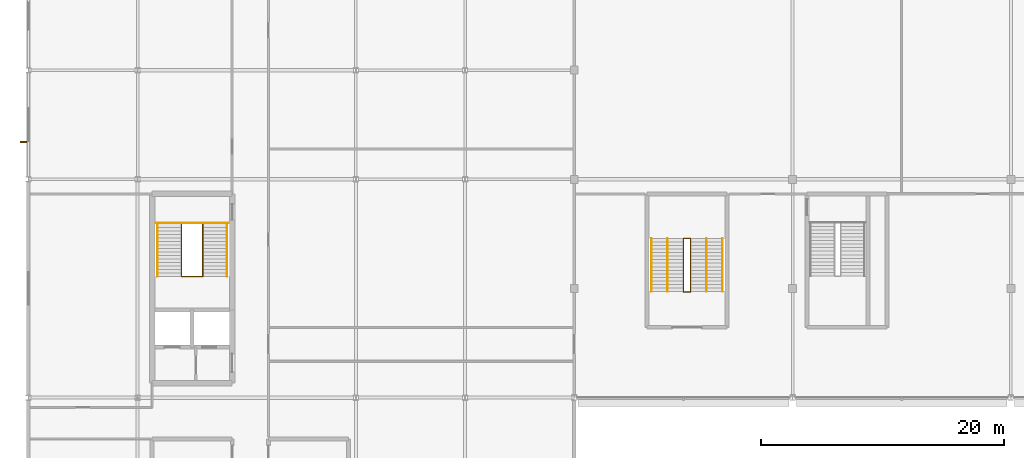
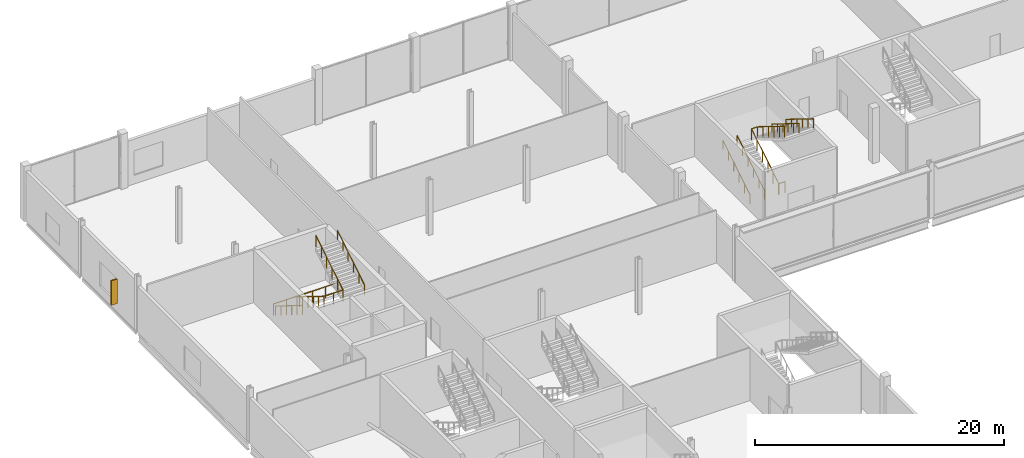
# One storey, part 102 of 111: 10 railings, 1 shading device.
"""IFC4 building model written with IfcOpenShell, lengths in metres."""

import ifcopenshell
import ifcopenshell.guid

model = None  # the IFC model being written
_history = None  # IfcOwnerHistory: only IFC2X3 demands one
_inside = {}  # id of a spatial element -> (the spatial element, [elements in it])
_under = {}  # id of a project, library or spatial element -> (it, [spatial elements below it])
_declared = {}  # id of a project -> (the project, [libraries it declares])
_typed = {}  # id of a type object -> (the type object, [elements of that type])
_made_of = {}  # id of a material, layer set ... -> (it, [elements and type objects made of it])


def new_model(schema):
    """Start an empty IFC model of exactly this schema.

    Asked for "IFC4X3", IfcOpenShell would pick the latest addendum, in which some entities
    have other attributes; the version numbers below select the first issue.
    IFC2X3 requires an IfcOwnerHistory on every rooted entity: one is made here for all.
    """
    global model, _history
    if schema == "IFC4X3":
        model = ifcopenshell.file(schema_version=(4, 3, 0, 0))
    else:
        model = ifcopenshell.file(schema=schema)
    _inside.clear()
    _under.clear()
    _declared.clear()
    _typed.clear()
    _made_of.clear()
    _history = None
    if model.schema == "IFC2X3":
        org = make("IfcOrganization", Name="unknown")
        user = make(
            "IfcPersonAndOrganization",
            ThePerson=make("IfcPerson", FamilyName="unknown"),
            TheOrganization=org,
        )
        app = make(
            "IfcApplication",
            ApplicationDeveloper=org,
            Version="unknown",
            ApplicationFullName="unknown",
            ApplicationIdentifier="unknown",
        )
        _history = make(
            "IfcOwnerHistory",
            OwningUser=user,
            OwningApplication=app,
            ChangeAction="ADDED",
            CreationDate=0,
        )
    return model


def make(cls, **values):
    """One entity of the class cls with the attributes given. An attribute that is None is left unset."""
    return model.create_entity(
        cls, **{name: value for name, value in values.items() if value is not None}
    )


def rooted(cls, **values):
    """An entity with a GlobalId (a new one), such as an element, a storey or a relation."""
    return make(cls, GlobalId=ifcopenshell.guid.new(), OwnerHistory=_history, **values)


def si_unit(unit_type, name, prefix=None):
    """IfcSIUnit, for example si_unit("LENGTHUNIT", "METRE", prefix="MILLI")."""
    return make("IfcSIUnit", UnitType=unit_type, Prefix=prefix, Name=name)


def assignment(units):
    """IfcUnitAssignment: the units of a project."""
    return None if units is None else make("IfcUnitAssignment", Units=units)


def point(xyz):
    """IfcCartesianPoint."""
    return None if xyz is None else make("IfcCartesianPoint", Coordinates=xyz)


def direction(xyz):
    """IfcDirection."""
    return None if xyz is None else make("IfcDirection", DirectionRatios=xyz)


def frame(location, z_axis=None, x_axis=None):
    """IfcAxis2Placement3D, a coordinate frame: its origin and axes. An axis left out is left unset."""
    return make(
        "IfcAxis2Placement3D",
        Location=point(location),
        Axis=direction(z_axis),
        RefDirection=direction(x_axis),
    )


def frame_2d(location, x_axis=None):
    """IfcAxis2Placement2D, a coordinate frame in the plane: its origin and x axis."""
    return make(
        "IfcAxis2Placement2D", Location=point(location), RefDirection=direction(x_axis)
    )


def origin():
    """The frame at (0, 0, 0) with its axes left unset."""
    return frame((0.0, 0.0, 0.0))


def origin_2d():
    """The frame at (0, 0) in the plane with its x axis left unset."""
    return frame_2d((0.0, 0.0))


def place(relative_to, where):
    """IfcLocalPlacement: puts the frame where relative to a parent placement (None: the world)."""
    return make(
        "IfcLocalPlacement", PlacementRelTo=relative_to, RelativePlacement=where
    )


def context(
    kind, dimensions, precision=None, world=None, true_north=None, identifier=None
):
    """IfcGeometricRepresentationContext, for example the 3D "Model" context."""
    return make(
        "IfcGeometricRepresentationContext",
        ContextIdentifier=identifier,
        ContextType=kind,
        CoordinateSpaceDimension=dimensions,
        Precision=precision,
        WorldCoordinateSystem=world,
        TrueNorth=true_north,
    )


def subcontext(parent, identifier, kind, view, scale=None):
    """IfcGeometricRepresentationSubContext, for example "Body" below "Model"."""
    return make(
        "IfcGeometricRepresentationSubContext",
        ContextIdentifier=identifier,
        ContextType=kind,
        ParentContext=parent,
        TargetScale=scale,
        TargetView=view,
    )


def project(units=None, contexts=None):
    """IfcProject with its units and contexts."""
    return rooted(
        "IfcProject",
        Name="project",
        RepresentationContexts=contexts,
        UnitsInContext=assignment(units),
    )


def spatial(cls, under=None, at=None, **own):
    """A site, building, storey or space (cls), placed at a placement, below another one or the project."""
    s = rooted(cls, ObjectPlacement=at, **own)
    if under is not None:
        _under.setdefault(under.id(), (under, []))[1].append(s)
    return s


def profile(cls, at=None, kind="AREA", **sizes):
    """A parametric profile (cls). Its sizes go by their IFC names, for example OverallWidth=200.0."""
    return make(cls, ProfileType=kind, Position=at, **sizes)


def rectangle(**sizes):
    """IfcRectangleProfileDef."""
    return profile("IfcRectangleProfileDef", **sizes)


def circle(**sizes):
    """IfcCircleProfileDef."""
    return profile("IfcCircleProfileDef", **sizes)


def extrude(swept, where, along, depth):
    """IfcExtrudedAreaSolid: the profile swept, set in the frame where, extruded along a direction by depth."""
    return make(
        "IfcExtrudedAreaSolid",
        SweptArea=swept,
        Position=where,
        ExtrudedDirection=direction(along),
        Depth=depth,
    )


def shape(context_of_items, identifier, shape_type, items):
    """IfcShapeRepresentation: the items that make up one representation, for example the "Body"."""
    return make(
        "IfcShapeRepresentation",
        ContextOfItems=context_of_items,
        RepresentationIdentifier=identifier,
        RepresentationType=shape_type,
        Items=items,
    )


def material(Name=None, Category=None):
    """IfcMaterial."""
    return make("IfcMaterial", Name=Name, Category=Category)


def made_of(thing, what):
    """Note that an element or type object is made of a material, layer set ...; save() writes the relation."""
    if what is not None:
        _made_of.setdefault(what.id(), (what, []))[1].append(thing)
    return thing


def type_object(cls, material=None, **own):
    """A type object (cls), such as IfcWallType, which elements share."""
    return made_of(rooted(cls, **own), material)


def element(
    cls,
    number,
    at=None,
    inside=None,
    cuts=None,
    type_object=None,
    material=None,
    context=None,
    identifier="Body",
    shape_type=None,
    held_by="IfcProductDefinitionShape",
    body=None,
    shapes=None,
    **own,
):
    """One element of the class cls, such as IfcWall. Its Tag is "e" and its number.

    at: its placement. inside: the storey or other place that contains it. cuts: it is an
    opening in that element (IfcRelVoidsElement). A single representation is given by context,
    identifier, shape_type and body (its items); several are given by shapes. held_by: the class
    of the entity that holds the representations. save() writes the other relations.
    """
    e = rooted(cls, Tag="e%d" % number, ObjectPlacement=at, **own)
    if body is not None:
        shapes = [shape(context, identifier, shape_type, body)]
    if shapes is not None:
        e.Representation = make(held_by, Representations=shapes)
    if inside is not None:
        _inside.setdefault(inside.id(), (inside, []))[1].append(e)
    if cuts is not None:
        rooted(
            "IfcRelVoidsElement", RelatingBuildingElement=cuts, RelatedOpeningElement=e
        )
    if type_object is not None:
        _typed.setdefault(type_object.id(), (type_object, []))[1].append(e)
    return made_of(e, material)


def aggregate(whole, parts):
    """IfcRelAggregates: a whole, such as a stair, and the parts it consists of."""
    return rooted("IfcRelAggregates", RelatingObject=whole, RelatedObjects=parts)


def save(model, path):
    """Write the relations noted so far, then the file.

    IfcRelAggregates (storeys below a building ...), IfcRelContainedInSpatialStructure (elements
    in a storey), IfcRelDefinesByType, IfcRelAssociatesMaterial and IfcRelDeclares: one each for
    every whole, place, type object, material and project.
    """
    for whole, parts in _under.values():
        aggregate(whole, parts)
    for where, things in _inside.values():
        rooted(
            "IfcRelContainedInSpatialStructure",
            RelatedElements=things,
            RelatingStructure=where,
        )
    for kind, things in _typed.values():
        rooted("IfcRelDefinesByType", RelatedObjects=things, RelatingType=kind)
    for what, things in _made_of.values():
        rooted("IfcRelAssociatesMaterial", RelatedObjects=things, RelatingMaterial=what)
    for by, libraries in _declared.values():
        rooted("IfcRelDeclares", RelatingContext=by, RelatedDefinitions=libraries)
    model.write(path)


model = new_model("IFC4")

# Units and contexts
model_context = context("Model", 3, precision=1e-05, world=origin(), true_north=direction((0.0, 1.0)))
body_context = subcontext(model_context, "Body", "Model", "MODEL_VIEW")
ifc_project = project(units=[si_unit("LENGTHUNIT", "METRE"), si_unit("AREAUNIT", "SQUARE_METRE"), si_unit("VOLUMEUNIT", "CUBIC_METRE"), si_unit("PLANEANGLEUNIT", "RADIAN"), si_unit("MASSUNIT", "GRAM", prefix="KILO")], contexts=[model_context])

# Site, building, storey
site_placement = place(None, origin())
site = spatial("IfcSite", under=ifc_project, at=site_placement, CompositionType="ELEMENT")
building_placement = place(site_placement, origin())
building = spatial("IfcBuilding", under=site, at=building_placement, Name="Kisiwana Market Hall", CompositionType="ELEMENT")
storey_placement = place(building_placement, frame((0.0, 0.0, 11.39990234375)))
storey = spatial("IfcBuildingStorey", under=building, at=storey_placement, Name="L02", CompositionType="ELEMENT", Elevation=11.39990234375)

# Railings
ifc_material_1 = material(Name="Steel S275", Category="steel")
railing_type_1 = type_object("IfcRailingType", Name="RL-GUARD-1100", PredefinedType="GUARDRAIL", material=ifc_material_1)
railing_1_placement = place(storey_placement, frame((12.625, 98.325439453125, 0.0)))
element("IfcRailing", 1, at=railing_1_placement, inside=storey, type_object=railing_type_1, Name="Stair ST-W1-L02 inner-well guardrail (RL-479)", PredefinedType="GUARDRAIL", context=body_context, shape_type="SweptSolid", body=[
    extrude(circle(Radius=0.02392578125, at=origin_2d()), frame((0.0, 0.0, 1.076171875), z_axis=(0.0, -0.849615114927, 0.52740322002), x_axis=(1.0, 0.0, 0.0)), (0.0, 0.0, 1.0), 5.119873046875),
    extrude(circle(Radius=0.02392578125, at=origin_2d()), frame((0.0, -4.349853515625, 3.7763671875), z_axis=(1.0, 0.0, 0.0), x_axis=(0.0, 1.0, 0.0)), (0.0, 0.0, 1.0), 1.75),
    extrude(circle(Radius=0.02392578125, at=origin_2d()), frame((1.75, -4.349853515625, 3.7763671875), z_axis=(0.0, 0.849636482215, 0.527368797038), x_axis=(-1.0, 0.0, 0.0)), (0.0, 0.0, 1.0), 5.11962890625),
    extrude(circle(Radius=0.02099609375, at=origin_2d()), origin(), (0.0, 0.0, 1.0), 1.052001953125),
    extrude(circle(Radius=0.02099609375, at=origin_2d()), frame((0.0, -0.869873046875, 0.5400390625)), (0.0, 0.0, 1.0), 1.052001953125),
    extrude(circle(Radius=0.02099609375, at=origin_2d()), frame((0.0, -1.739990234375, 1.080078125)), (0.0, 0.0, 1.0), 1.052001953125),
    extrude(circle(Radius=0.02099609375, at=origin_2d()), frame((0.0, -2.60986328125, 1.6201171875)), (0.0, 0.0, 1.0), 1.052001953125),
    extrude(circle(Radius=0.02099609375, at=origin_2d()), frame((0.0, -3.47998046875, 2.16015625)), (0.0, 0.0, 1.0), 1.052001953125),
    extrude(circle(Radius=0.02099609375, at=origin_2d()), frame((0.0, -4.349853515625, 2.7001953125)), (0.0, 0.0, 1.0), 1.052001953125),
    extrude(circle(Radius=0.02099609375, at=origin_2d()), frame((0.875, -4.349853515625, 2.7001953125)), (0.0, 0.0, 1.0), 1.052001953125),
    extrude(circle(Radius=0.02099609375, at=origin_2d()), frame((1.75, -4.349853515625, 2.7001953125)), (0.0, 0.0, 1.0), 1.052001953125),
    extrude(circle(Radius=0.02099609375, at=origin_2d()), frame((1.75, -3.47998046875, 3.240234375)), (0.0, 0.0, 1.0), 1.052001953125),
    extrude(circle(Radius=0.02099609375, at=origin_2d()), frame((1.75, -2.60986328125, 3.7802734375)), (0.0, 0.0, 1.0), 1.052001953125),
    extrude(circle(Radius=0.02099609375, at=origin_2d()), frame((1.75, -1.739990234375, 4.320068359375)), (0.0, 0.0, 1.0), 1.052001953125),
    extrude(circle(Radius=0.02099609375, at=origin_2d()), frame((1.75, -0.869873046875, 4.860107421875)), (0.0, 0.0, 1.0), 1.052001953125),
    extrude(circle(Radius=0.02099609375, at=origin_2d()), frame((1.75, 0.0, 5.400146484375)), (0.0, 0.0, 1.0), 1.052001953125),
])
railing_2_placement = place(storey_placement, frame((10.5048828125, 98.405517578125, 0.0)))
element("IfcRailing", 2, at=railing_2_placement, inside=storey, type_object=railing_type_1, Name="Stair ST-W1-L02 landing edge guardrail (RL-482)", PredefinedType="GUARDRAIL", context=body_context, shape_type="SweptSolid", body=[
    extrude(circle(Radius=0.02392578125, at=origin_2d()), frame((0.0, 0.0, 1.076171875), z_axis=(1.0, 0.0, 0.0), x_axis=(0.0, 1.0, 0.0)), (0.0, 0.0, 1.0), 5.990234375),
    extrude(circle(Radius=0.02099609375, at=origin_2d()), origin(), (0.0, 0.0, 1.0), 1.052001953125),
    extrude(circle(Radius=0.02099609375, at=origin_2d()), frame((1.197998046875, 0.0, 0.0)), (0.0, 0.0, 1.0), 1.052001953125),
    extrude(circle(Radius=0.02099609375, at=origin_2d()), frame((2.39599609375, 0.0, 0.0)), (0.0, 0.0, 1.0), 1.052001953125),
    extrude(circle(Radius=0.02099609375, at=origin_2d()), frame((3.59423828125, 0.0, 0.0)), (0.0, 0.0, 1.0), 1.052001953125),
    extrude(circle(Radius=0.02099609375, at=origin_2d()), frame((4.792236328125, 0.0, 0.0)), (0.0, 0.0, 1.0), 1.052001953125),
    extrude(circle(Radius=0.02099609375, at=origin_2d()), frame((5.990234375, 0.0, 0.0)), (0.0, 0.0, 1.0), 1.052001953125),
])
railing_3_placement = place(storey_placement, frame((54.02001953125, 92.760009765625, 0.0)))
element("IfcRailing", 3, at=railing_3_placement, inside=storey, type_object=railing_type_1, Name="Stair ST-N3-L02 inner-well guardrail (RL-597)", PredefinedType="GUARDRAIL", context=body_context, shape_type="SweptSolid", body=[
    extrude(circle(Radius=0.02392578125, at=origin_2d()), frame((0.0, 0.0, 1.076171875), z_axis=(0.0, 0.849628378081, 0.527381853271), x_axis=(-1.0, 0.0, 0.0)), (0.0, 0.0, 1.0), 5.1201171875),
    extrude(circle(Radius=0.02392578125, at=origin_2d()), frame((0.0, 4.35009765625, 3.7763671875), z_axis=(1.0, 0.0, 0.0), x_axis=(0.0, 1.0, 0.0)), (0.0, 0.0, 1.0), 0.56005859375),
    extrude(circle(Radius=0.02392578125, at=origin_2d()), frame((0.56005859375, 4.35009765625, 3.7763671875), z_axis=(0.0, -0.849649743971, 0.527347430608), x_axis=(1.0, 0.0, 0.0)), (0.0, 0.0, 1.0), 5.119873046875),
    extrude(circle(Radius=0.02099609375, at=origin_2d()), origin(), (0.0, 0.0, 1.0), 1.052001953125),
    extrude(circle(Radius=0.02099609375, at=origin_2d()), frame((0.0, 0.8701171875, 0.5400390625)), (0.0, 0.0, 1.0), 1.052001953125),
    extrude(circle(Radius=0.02099609375, at=origin_2d()), frame((0.0, 1.739990234375, 1.080078125)), (0.0, 0.0, 1.0), 1.052001953125),
    extrude(circle(Radius=0.02099609375, at=origin_2d()), frame((0.0, 2.610107421875, 1.6201171875)), (0.0, 0.0, 1.0), 1.052001953125),
    extrude(circle(Radius=0.02099609375, at=origin_2d()), frame((0.0, 3.47998046875, 2.16015625)), (0.0, 0.0, 1.0), 1.052001953125),
    extrude(circle(Radius=0.02099609375, at=origin_2d()), frame((0.0, 4.35009765625, 2.7001953125)), (0.0, 0.0, 1.0), 1.052001953125),
    extrude(circle(Radius=0.02099609375, at=origin_2d()), frame((0.56005859375, 4.35009765625, 2.7001953125)), (0.0, 0.0, 1.0), 1.052001953125),
    extrude(circle(Radius=0.02099609375, at=origin_2d()), frame((0.56005859375, 3.47998046875, 3.240234375)), (0.0, 0.0, 1.0), 1.052001953125),
    extrude(circle(Radius=0.02099609375, at=origin_2d()), frame((0.56005859375, 2.610107421875, 3.7802734375)), (0.0, 0.0, 1.0), 1.052001953125),
    extrude(circle(Radius=0.02099609375, at=origin_2d()), frame((0.56005859375, 1.739990234375, 4.320068359375)), (0.0, 0.0, 1.0), 1.052001953125),
    extrude(circle(Radius=0.02099609375, at=origin_2d()), frame((0.56005859375, 0.8701171875, 4.860107421875)), (0.0, 0.0, 1.0), 1.052001953125),
    extrude(circle(Radius=0.02099609375, at=origin_2d()), frame((0.56005859375, 0.0, 5.400146484375)), (0.0, 0.0, 1.0), 1.052001953125),
])
railing_4_placement = place(storey_placement, frame((54.02001953125, 92.7099609375, 0.0)))
element("IfcRailing", 4, at=railing_4_placement, inside=storey, type_object=railing_type_1, Name="Stair ST-N3-L02 landing edge guardrail (RL-602)", PredefinedType="GUARDRAIL", context=body_context, shape_type="SweptSolid", body=[
    extrude(circle(Radius=0.02392578125, at=origin_2d()), frame((0.0, 0.0, 1.076171875), z_axis=(1.0, 0.0, 0.0), x_axis=(0.0, 1.0, 0.0)), (0.0, 0.0, 1.0), 0.56005859375),
    extrude(circle(Radius=0.02099609375, at=origin_2d()), origin(), (0.0, 0.0, 1.0), 1.052001953125),
    extrude(circle(Radius=0.02099609375, at=origin_2d()), frame((0.56005859375, 0.0, 0.0)), (0.0, 0.0, 1.0), 1.052001953125),
])
ifc_material_2 = material(Name="Steel S275", Category="steel")
railing_type_2 = type_object("IfcRailingType", Name="RL-HAND-900", PredefinedType="HANDRAIL", material=ifc_material_2)
railing_5_placement = place(storey_placement, frame((10.635009765625, 98.325439453125, 0.0)))
element("IfcRailing", 5, at=railing_5_placement, inside=storey, type_object=railing_type_2, Name="Stair ST-W1-L02 flight 1 handrail (RL-480)", PredefinedType="HANDRAIL", context=body_context, shape_type="SweptSolid", body=[
    extrude(circle(Radius=0.02392578125, at=origin_2d()), frame((0.0, 0.0, 0.8759765625), z_axis=(0.0, -0.849615114927, 0.52740322002), x_axis=(1.0, 0.0, 0.0)), (0.0, 0.0, 1.0), 5.119873046875),
    extrude(circle(Radius=0.02099609375, at=origin_2d()), origin(), (0.0, 0.0, 1.0), 0.851806640625),
    extrude(circle(Radius=0.02099609375, at=origin_2d()), frame((0.0, -0.869873046875, 0.5400390625)), (0.0, 0.0, 1.0), 0.851806640625),
    extrude(circle(Radius=0.02099609375, at=origin_2d()), frame((0.0, -1.739990234375, 1.080078125)), (0.0, 0.0, 1.0), 0.851806640625),
    extrude(circle(Radius=0.02099609375, at=origin_2d()), frame((0.0, -2.60986328125, 1.6201171875)), (0.0, 0.0, 1.0), 0.851806640625),
    extrude(circle(Radius=0.02099609375, at=origin_2d()), frame((0.0, -3.47998046875, 2.16015625)), (0.0, 0.0, 1.0), 0.851806640625),
    extrude(circle(Radius=0.02099609375, at=origin_2d()), frame((0.0, -4.349853515625, 2.7001953125)), (0.0, 0.0, 1.0), 0.851806640625),
])
railing_6_placement = place(storey_placement, frame((16.364990234375, 93.9755859375, 2.7001953125)))
element("IfcRailing", 6, at=railing_6_placement, inside=storey, type_object=railing_type_2, Name="Stair ST-W1-L02 flight 2 handrail (RL-481)", PredefinedType="HANDRAIL", context=body_context, shape_type="SweptSolid", body=[
    extrude(circle(Radius=0.02392578125, at=origin_2d()), frame((0.0, 0.0, 0.8759765625), z_axis=(0.0, 0.849636482215, 0.527368797038), x_axis=(-1.0, 0.0, 0.0)), (0.0, 0.0, 1.0), 5.11962890625),
    extrude(circle(Radius=0.02099609375, at=origin_2d()), origin(), (0.0, 0.0, 1.0), 0.851806640625),
    extrude(circle(Radius=0.02099609375, at=origin_2d()), frame((0.0, 0.869873046875, 0.5400390625)), (0.0, 0.0, 1.0), 0.851806640625),
    extrude(circle(Radius=0.02099609375, at=origin_2d()), frame((0.0, 1.739990234375, 1.080078125)), (0.0, 0.0, 1.0), 0.851806640625),
    extrude(circle(Radius=0.02099609375, at=origin_2d()), frame((0.0, 2.60986328125, 1.619873046875)), (0.0, 0.0, 1.0), 0.851806640625),
    extrude(circle(Radius=0.02099609375, at=origin_2d()), frame((0.0, 3.47998046875, 2.159912109375)), (0.0, 0.0, 1.0), 0.851806640625),
    extrude(circle(Radius=0.02099609375, at=origin_2d()), frame((0.0, 4.349853515625, 2.699951171875)), (0.0, 0.0, 1.0), 0.851806640625),
])
railing_7_placement = place(storey_placement, frame((51.3701171875, 92.760009765625, 0.0)))
element("IfcRailing", 7, at=railing_7_placement, inside=storey, type_object=railing_type_2, Name="Stair ST-N3-L02 flight 1 handrail (RL-598)", PredefinedType="HANDRAIL", context=body_context, shape_type="SweptSolid", body=[
    extrude(circle(Radius=0.02392578125, at=origin_2d()), frame((0.0, 0.0, 0.8759765625), z_axis=(0.0, 0.849628378081, 0.527381853271), x_axis=(-1.0, 0.0, 0.0)), (0.0, 0.0, 1.0), 5.1201171875),
    extrude(circle(Radius=0.02099609375, at=origin_2d()), origin(), (0.0, 0.0, 1.0), 0.851806640625),
    extrude(circle(Radius=0.02099609375, at=origin_2d()), frame((0.0, 0.8701171875, 0.5400390625)), (0.0, 0.0, 1.0), 0.851806640625),
    extrude(circle(Radius=0.02099609375, at=origin_2d()), frame((0.0, 1.739990234375, 1.080078125)), (0.0, 0.0, 1.0), 0.851806640625),
    extrude(circle(Radius=0.02099609375, at=origin_2d()), frame((0.0, 2.610107421875, 1.6201171875)), (0.0, 0.0, 1.0), 0.851806640625),
    extrude(circle(Radius=0.02099609375, at=origin_2d()), frame((0.0, 3.47998046875, 2.16015625)), (0.0, 0.0, 1.0), 0.851806640625),
    extrude(circle(Radius=0.02099609375, at=origin_2d()), frame((0.0, 4.35009765625, 2.7001953125)), (0.0, 0.0, 1.0), 0.851806640625),
])
railing_8_placement = place(storey_placement, frame((57.22998046875, 97.110107421875, 2.7001953125)))
element("IfcRailing", 8, at=railing_8_placement, inside=storey, type_object=railing_type_2, Name="Stair ST-N3-L02 flight 2 handrail (RL-599)", PredefinedType="HANDRAIL", context=body_context, shape_type="SweptSolid", body=[
    extrude(circle(Radius=0.02392578125, at=origin_2d()), frame((0.0, 0.0, 0.8759765625), z_axis=(0.0, -0.849649743971, 0.527347430608), x_axis=(1.0, 0.0, 0.0)), (0.0, 0.0, 1.0), 5.119873046875),
    extrude(circle(Radius=0.02099609375, at=origin_2d()), origin(), (0.0, 0.0, 1.0), 0.851806640625),
    extrude(circle(Radius=0.02099609375, at=origin_2d()), frame((0.0, -0.8701171875, 0.5400390625)), (0.0, 0.0, 1.0), 0.851806640625),
    extrude(circle(Radius=0.02099609375, at=origin_2d()), frame((0.0, -1.739990234375, 1.080078125)), (0.0, 0.0, 1.0), 0.851806640625),
    extrude(circle(Radius=0.02099609375, at=origin_2d()), frame((0.0, -2.610107421875, 1.619873046875)), (0.0, 0.0, 1.0), 0.851806640625),
    extrude(circle(Radius=0.02099609375, at=origin_2d()), frame((0.0, -3.47998046875, 2.159912109375)), (0.0, 0.0, 1.0), 0.851806640625),
    extrude(circle(Radius=0.02099609375, at=origin_2d()), frame((0.0, -4.35009765625, 2.699951171875)), (0.0, 0.0, 1.0), 0.851806640625),
])
railing_9_placement = place(storey_placement, frame((52.68994140625, 92.760009765625, 0.0)))
element("IfcRailing", 9, at=railing_9_placement, inside=storey, type_object=railing_type_2, Name="Stair ST-N3-L02 flight 1 intermediate handrail (RL-600)", PredefinedType="HANDRAIL", context=body_context, shape_type="SweptSolid", body=[
    extrude(circle(Radius=0.02392578125, at=origin_2d()), frame((0.0, 0.0, 0.8759765625), z_axis=(0.0, 0.849628378081, 0.527381853271), x_axis=(-1.0, 0.0, 0.0)), (0.0, 0.0, 1.0), 5.1201171875),
    extrude(circle(Radius=0.02099609375, at=origin_2d()), origin(), (0.0, 0.0, 1.0), 0.851806640625),
    extrude(circle(Radius=0.02099609375, at=origin_2d()), frame((0.0, 0.8701171875, 0.5400390625)), (0.0, 0.0, 1.0), 0.851806640625),
    extrude(circle(Radius=0.02099609375, at=origin_2d()), frame((0.0, 1.739990234375, 1.080078125)), (0.0, 0.0, 1.0), 0.851806640625),
    extrude(circle(Radius=0.02099609375, at=origin_2d()), frame((0.0, 2.610107421875, 1.6201171875)), (0.0, 0.0, 1.0), 0.851806640625),
    extrude(circle(Radius=0.02099609375, at=origin_2d()), frame((0.0, 3.47998046875, 2.16015625)), (0.0, 0.0, 1.0), 0.851806640625),
    extrude(circle(Radius=0.02099609375, at=origin_2d()), frame((0.0, 4.35009765625, 2.7001953125)), (0.0, 0.0, 1.0), 0.851806640625),
])
railing_10_placement = place(storey_placement, frame((55.909912109375, 97.110107421875, 2.7001953125)))
element("IfcRailing", 10, at=railing_10_placement, inside=storey, type_object=railing_type_2, Name="Stair ST-N3-L02 flight 2 intermediate handrail (RL-601)", PredefinedType="HANDRAIL", context=body_context, shape_type="SweptSolid", body=[
    extrude(circle(Radius=0.02392578125, at=origin_2d()), frame((0.0, 0.0, 0.8759765625), z_axis=(0.0, -0.849649743971, 0.527347430608), x_axis=(1.0, 0.0, 0.0)), (0.0, 0.0, 1.0), 5.119873046875),
    extrude(circle(Radius=0.02099609375, at=origin_2d()), origin(), (0.0, 0.0, 1.0), 0.851806640625),
    extrude(circle(Radius=0.02099609375, at=origin_2d()), frame((0.0, -0.8701171875, 0.5400390625)), (0.0, 0.0, 1.0), 0.851806640625),
    extrude(circle(Radius=0.02099609375, at=origin_2d()), frame((0.0, -1.739990234375, 1.080078125)), (0.0, 0.0, 1.0), 0.851806640625),
    extrude(circle(Radius=0.02099609375, at=origin_2d()), frame((0.0, -2.610107421875, 1.619873046875)), (0.0, 0.0, 1.0), 0.851806640625),
    extrude(circle(Radius=0.02099609375, at=origin_2d()), frame((0.0, -3.47998046875, 2.159912109375)), (0.0, 0.0, 1.0), 0.851806640625),
    extrude(circle(Radius=0.02099609375, at=origin_2d()), frame((0.0, -4.35009765625, 2.699951171875)), (0.0, 0.0, 1.0), 0.851806640625),
])

# Shading device
ifc_material_3 = material(Name="Aluminium alloy 6063-T6", Category="aluminium")
shading_device_type = type_object("IfcShadingDeviceType", Name="SHD-SHUTTER-V", PredefinedType="SHUTTER", material=ifc_material_3)
shading_device_placement = place(storey_placement, frame((-0.419921875, 105.07275390625, 0.85009765625), z_axis=(0.0, 0.0, 1.0), x_axis=(0.0, 1.0, 0.0)))
element("IfcShadingDevice", 11, at=shading_device_placement, inside=storey, type_object=shading_device_type, Name="Vertical solar fin SHD-059 SD-059", PredefinedType="SHUTTER", context=body_context, shape_type="SweptSolid", body=[
    extrude(rectangle(XDim=0.1201171875, YDim=0.550048828125, at=origin_2d()), origin(), (0.0, 0.0, 1.0), 2.39990234375),
])

save(model, "model.ifc")
